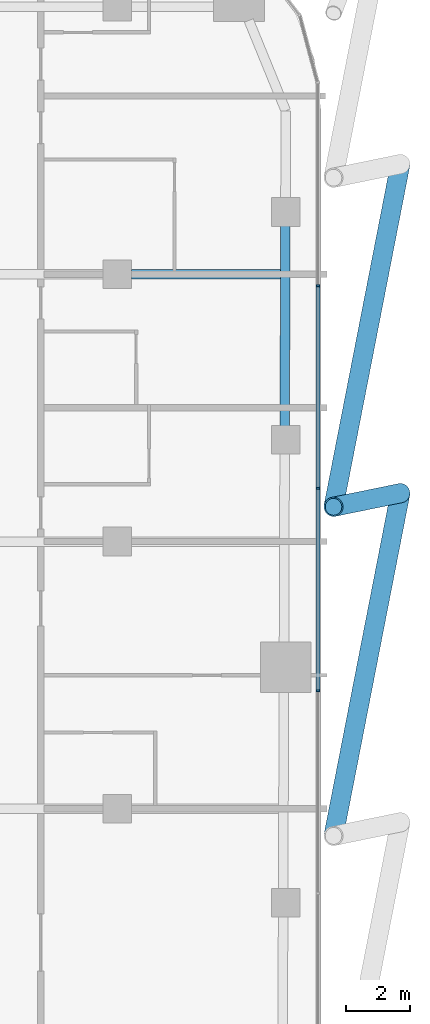
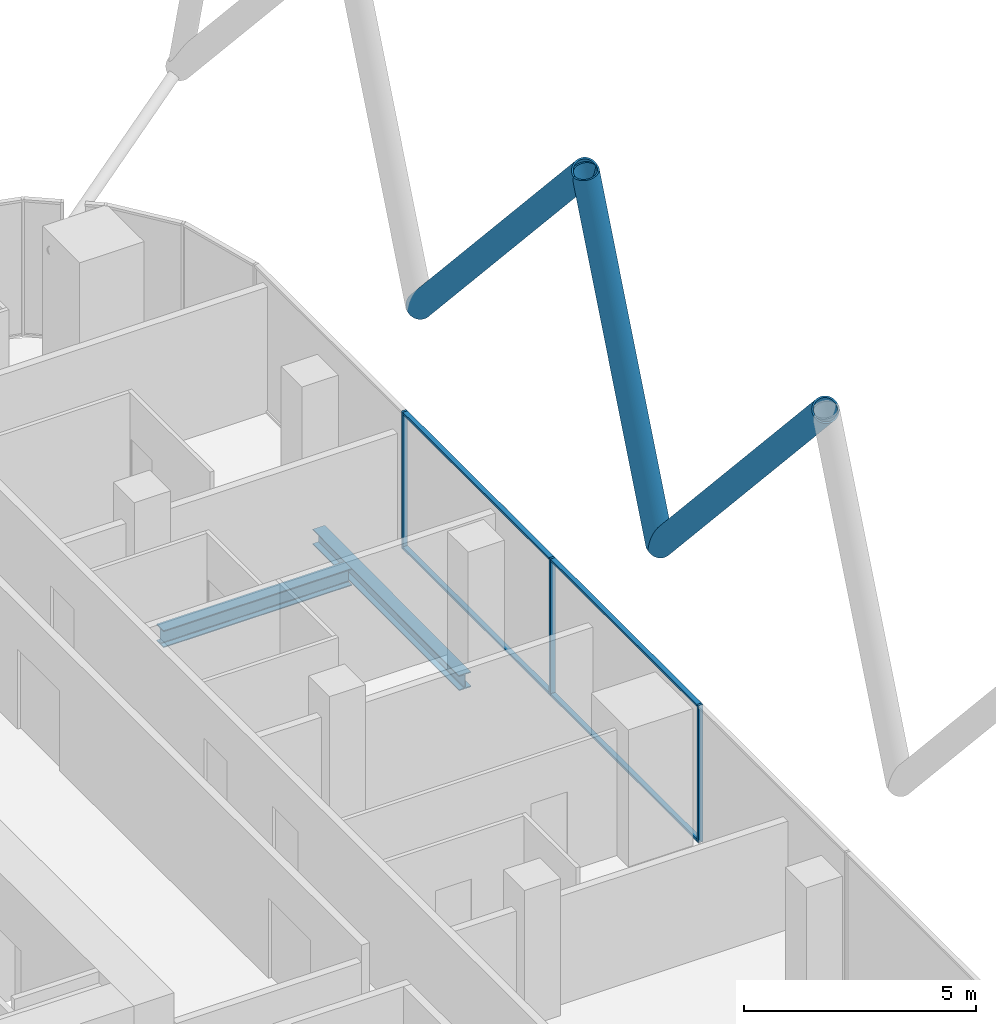
# One storey, part 14 of 34: 10 members, 2 beams, 1 element without a shape of its own.
"""IFC4 building model written with IfcOpenShell, lengths in metres."""

from ifc_helpers import new_model, si_unit, direction, frame, origin, origin_2d, place, context, subcontext, project, spatial, rectangle, hollow_circle, i_section, extrude, material, layer, layer_set, material_profile, profile_set, type_object, element, aggregate, save


model = new_model("IFC4")

# Units and contexts
model_context = context("Model", 3, precision=1e-05, world=origin(), true_north=direction((0.0, 1.0)))
body_context = subcontext(model_context, "Body", "Model", "MODEL_VIEW")
ifc_project = project(units=[si_unit("LENGTHUNIT", "METRE"), si_unit("AREAUNIT", "SQUARE_METRE"), si_unit("VOLUMEUNIT", "CUBIC_METRE"), si_unit("PLANEANGLEUNIT", "RADIAN"), si_unit("MASSUNIT", "GRAM", prefix="KILO")], contexts=[model_context])

# Site, building, storey
site_placement = place(None, origin())
site = spatial("IfcSite", under=ifc_project, at=site_placement, CompositionType="ELEMENT")
building_placement = place(site_placement, origin())
building = spatial("IfcBuilding", under=site, at=building_placement, Name="Marenta Gate Hotel Tower", CompositionType="ELEMENT")
storey_placement = place(building_placement, frame((0.0, 0.0, 166.10009765625)))
storey = spatial("IfcBuildingStorey", under=building, at=storey_placement, Name="L39", CompositionType="ELEMENT", Elevation=166.10009765625)

# Members
ifc_material_1 = material(Name="Steel S355J2W", Category="steel")
ifc_material_profile_1 = material_profile(ifc_material_1, hollow_circle(Radius=0.304931640625, WallThickness=0.0400390625, at=origin_2d()), Name="CHS 610x40")
ifc_profile_set_1 = profile_set([ifc_material_profile_1], Name="Steel S355J2W")
member_type_1 = type_object("IfcMemberType", Name="Diagrid diagonal T2 CHS 610x40", PredefinedType="BRACE", material=ifc_profile_set_1)
member_1_placement = place(storey_placement, frame((29.89990234375, 20.260009765625, 3.139892578125), z_axis=(-0.136387552473, -0.699523368187, 0.701473800573), x_axis=(0.981518224839, -0.191368686853, 0.0)))
element("IfcMember", 1, at=member_1_placement, inside=storey, type_object=member_type_1, Name="L39-DG-3", PredefinedType="BRACE", context=body_context, shape_type="SweptSolid", body=[
    extrude(hollow_circle(Radius=0.304931640625, WallThickness=0.0400390625, at=origin_2d()), origin(), (0.0, 0.0, 1.0), 15.396240234375),
])
member_2_placement = place(storey_placement, frame((29.89990234375, 9.919921875, 3.139892578125), z_axis=(-0.19071044896, -0.03904675045, 0.980869448977), x_axis=(0.200582587895, -0.979676796415, 0.0)))
element("IfcMember", 2, at=member_2_placement, inside=storey, type_object=member_type_1, Name="L39-DG-4", PredefinedType="BRACE", context=body_context, shape_type="SweptSolid", body=[
    extrude(hollow_circle(Radius=0.304931640625, WallThickness=0.0400390625, at=origin_2d()), origin(), (0.0, 0.0, 1.0), 11.0107421875),
])
member_3_placement = place(storey_placement, frame((29.89990234375, 9.919921875, 3.139892578125), z_axis=(-0.136387552473, -0.699523368187, 0.701473800573), x_axis=(0.981518224839, -0.191368686853, 0.0)))
element("IfcMember", 3, at=member_3_placement, inside=storey, type_object=member_type_1, Name="L39-DG-5", PredefinedType="BRACE", context=body_context, shape_type="SweptSolid", body=[
    extrude(hollow_circle(Radius=0.304931640625, WallThickness=0.0400390625, at=origin_2d()), origin(), (0.0, 0.0, 1.0), 15.396240234375),
])

# Beams
ifc_material_2 = material(Name="Steel S355", Category="steel")
ifc_material_profile_2 = material_profile(ifc_material_2, i_section(OverallWidth=0.300048828125, OverallDepth=0.39990234375, WebThickness=0.013427734375, FlangeThickness=0.02392578125, FilletRadius=0.027099609375, at=origin_2d()), Name="HEB 400")
ifc_profile_set_2 = profile_set([ifc_material_profile_2], Name="Steel S355")
beam_type_1 = type_object("IfcBeamType", Name="Edge beam HEB 400", PredefinedType="SPANDREL", material=ifc_profile_set_2)
beam_1_placement = place(storey_placement, frame((26.2880859375, 18.346435546875, -0.460205078125), z_axis=(-0.00335374545, -0.99999437618, 0.0), x_axis=(0.99999437618, -0.00335374545, 0.0)))
element("IfcBeam", 4, at=beam_1_placement, inside=storey, type_object=beam_type_1, Name="L39-EB-23", PredefinedType="SPANDREL", context=body_context, shape_type="SweptSolid", body=[
    extrude(i_section(OverallWidth=0.300048828125, OverallDepth=0.39990234375, WebThickness=0.013427734375, FlangeThickness=0.02392578125, FilletRadius=0.027099609375, at=origin_2d()), origin(), (0.0, 0.0, 1.0), 6.333251953125),
])
ifc_material_3 = material(Name="Steel S355", Category="steel")
ifc_material_profile_3 = material_profile(ifc_material_3, i_section(OverallWidth=0.300048828125, OverallDepth=0.449951171875, WebThickness=0.013916015625, FlangeThickness=0.02587890625, FilletRadius=0.027099609375, at=origin_2d()), Name="HEB 450")
ifc_profile_set_3 = profile_set([ifc_material_profile_3], Name="Steel S355")
beam_type_2 = type_object("IfcBeamType", Name="Girder HEB 450", PredefinedType="BEAM", material=ifc_profile_set_3)
beam_2_placement = place(storey_placement, frame((21.449951171875, 16.800048828125, -0.485107421875), z_axis=(1.0, 0.0, 0.0), x_axis=(0.0, 1.0, 0.0)))
element("IfcBeam", 5, at=beam_2_placement, inside=storey, type_object=beam_type_2, Name="L39-GD-28", PredefinedType="BEAM", context=body_context, shape_type="SweptSolid", body=[
    extrude(i_section(OverallWidth=0.300048828125, OverallDepth=0.449951171875, WebThickness=0.013916015625, FlangeThickness=0.02587890625, FilletRadius=0.027099609375, at=origin_2d()), origin(), (0.0, 0.0, 1.0), 4.682861328125),
])

# Curtain wall, members
ifc_material_4 = material(Name="Tinted insulated glass in bronze anodised frame", Category="glass")
ifc_layer = layer(ifc_material_4, 0.1201171875)
ifc_layer_set = layer_set([ifc_layer], Name="Tinted insulated glass in bronze anodised frame")
curtain_wall_type = type_object("IfcCurtainWallType", Name="Tower unitised curtain wall CW1", PredefinedType="NOTDEFINED", material=ifc_layer_set)
curtain_wall_placement = place(storey_placement, origin())
curtain_wall = element("IfcCurtainWall", 6, at=curtain_wall_placement, inside=storey, type_object=curtain_wall_type, Name="CW1 run G19", PredefinedType="NOTDEFINED")
ifc_material_5 = material(Name="Bronze anodised aluminium", Category="aluminium")
ifc_material_profile_4 = material_profile(ifc_material_5, rectangle(XDim=0.1201171875, YDim=0.06005859375, at=origin_2d()), Name="Mullion CW1 60x120 bronze anodised aluminium")
ifc_profile_set_4 = profile_set([ifc_material_profile_4], Name="Bronze anodised aluminium")
member_type_2 = type_object("IfcMemberType", Name="Mullion CW1 60x120 bronze anodised aluminium", PredefinedType="MULLION", material=ifc_profile_set_4)
member_4_placement = place(storey_placement, frame((27.31396484375, 3.7119140625, 0.0), z_axis=(0.0, 0.0, 1.0), x_axis=(-1.0, 0.0, 0.0)))
member_4 = element("IfcMember", 7, at=member_4_placement, type_object=member_type_2, Name="CW1 mullion 4", PredefinedType="MULLION", context=body_context, shape_type="SweptSolid", body=[
    extrude(rectangle(XDim=0.1201171875, YDim=0.06005859375, at=origin_2d()), origin(), (0.0, 0.0, 1.0), 3.599853515625),
])
member_5_placement = place(storey_placement, frame((27.31396484375, 10.072021484375, 0.0), z_axis=(0.0, 0.0, 1.0), x_axis=(-1.0, 0.0, 0.0)))
member_5 = element("IfcMember", 8, at=member_5_placement, type_object=member_type_2, Name="CW1 mullion 5", PredefinedType="MULLION", context=body_context, shape_type="SweptSolid", body=[
    extrude(rectangle(XDim=0.1201171875, YDim=0.06005859375, at=origin_2d()), origin(), (0.0, 0.0, 1.0), 3.599853515625),
])
member_6_placement = place(storey_placement, frame((27.31396484375, 16.431884765625, 0.0), z_axis=(0.0, 0.0, 1.0), x_axis=(-1.0, 0.0, 0.0)))
member_6 = element("IfcMember", 9, at=member_6_placement, type_object=member_type_2, Name="CW1 mullion 6", PredefinedType="MULLION", context=body_context, shape_type="SweptSolid", body=[
    extrude(rectangle(XDim=0.1201171875, YDim=0.06005859375, at=origin_2d()), origin(), (0.0, 0.0, 1.0), 3.599853515625),
])
ifc_material_6 = material(Name="Bronze anodised aluminium", Category="aluminium")
ifc_material_profile_5 = material_profile(ifc_material_6, rectangle(XDim=0.1201171875, YDim=0.06005859375, at=origin_2d()), Name="Transom CW1 60x120 bronze anodised aluminium")
ifc_profile_set_5 = profile_set([ifc_material_profile_5], Name="Bronze anodised aluminium")
member_type_3 = type_object("IfcMemberType", Name="Transom CW1 60x120 bronze anodised aluminium", PredefinedType="USERDEFINED", material=ifc_profile_set_5)
member_7_placement = place(storey_placement, frame((27.31396484375, 3.741943359375, 0.02978515625), z_axis=(0.0, 1.0, 0.0), x_axis=(-1.0, 0.0, 0.0)))
member_7 = element("IfcMember", 10, at=member_7_placement, type_object=member_type_3, Name="CW1 transom 4.1", ObjectType="TRANSOM", PredefinedType="USERDEFINED", context=body_context, shape_type="SweptSolid", body=[
    extrude(rectangle(XDim=0.1201171875, YDim=0.06005859375, at=origin_2d()), origin(), (0.0, 0.0, 1.0), 6.300048828125),
])
member_8_placement = place(storey_placement, frame((27.31396484375, 3.741943359375, 3.56982421875), z_axis=(0.0, 1.0, 0.0), x_axis=(-1.0, 0.0, 0.0)))
member_8 = element("IfcMember", 11, at=member_8_placement, type_object=member_type_3, Name="CW1 transom 4.2", ObjectType="TRANSOM", PredefinedType="USERDEFINED", context=body_context, shape_type="SweptSolid", body=[
    extrude(rectangle(XDim=0.1201171875, YDim=0.06005859375, at=origin_2d()), origin(), (0.0, 0.0, 1.0), 6.300048828125),
])
member_9_placement = place(storey_placement, frame((27.31396484375, 10.10205078125, 0.02978515625), z_axis=(0.0, 1.0, 0.0), x_axis=(-1.0, 0.0, 0.0)))
member_9 = element("IfcMember", 12, at=member_9_placement, type_object=member_type_3, Name="CW1 transom 5.1", ObjectType="TRANSOM", PredefinedType="USERDEFINED", context=body_context, shape_type="SweptSolid", body=[
    extrude(rectangle(XDim=0.1201171875, YDim=0.06005859375, at=origin_2d()), origin(), (0.0, 0.0, 1.0), 6.2998046875),
])
member_10_placement = place(storey_placement, frame((27.31396484375, 10.10205078125, 3.56982421875), z_axis=(0.0, 1.0, 0.0), x_axis=(-1.0, 0.0, 0.0)))
member_10 = element("IfcMember", 13, at=member_10_placement, type_object=member_type_3, Name="CW1 transom 5.2", ObjectType="TRANSOM", PredefinedType="USERDEFINED", context=body_context, shape_type="SweptSolid", body=[
    extrude(rectangle(XDim=0.1201171875, YDim=0.06005859375, at=origin_2d()), origin(), (0.0, 0.0, 1.0), 6.2998046875),
])
aggregate(curtain_wall, [member_4, member_5, member_6, member_7, member_8, member_9, member_10])

save(model, "model.ifc")
